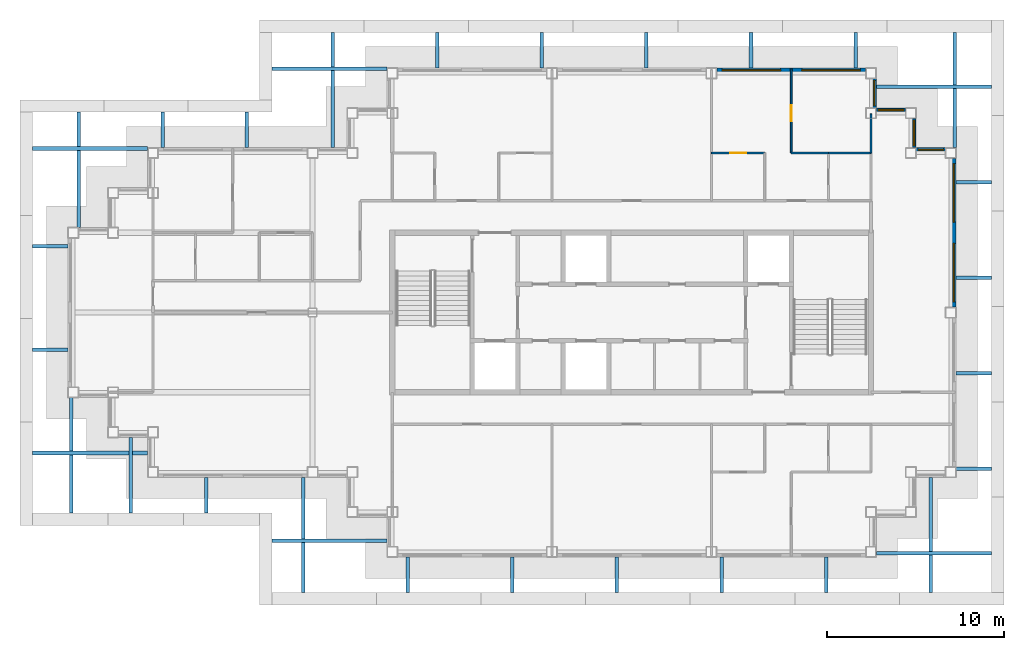
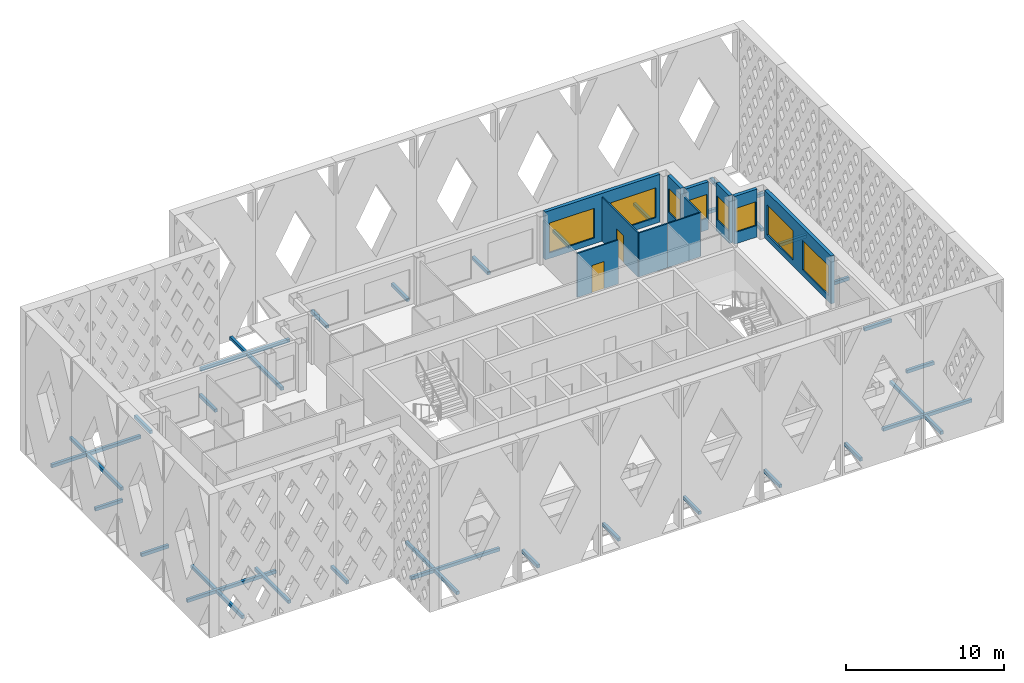
# One storey, part 6 of 13: 32 discrete accessories, 11 walls, 8 windows, 2 doors, 10 openings.
"""IFC4 building model written with IfcOpenShell, lengths in metres."""

from ifc_helpers import new_model, si_unit, direction, frame, frame_2d, origin, origin_2d, place, context, subcontext, project, spatial, rectangle, extrude, material, layer, layer_set, type_object, element, fill, save


model = new_model("IFC4")

# Units and contexts
model_context = context("Model", 3, precision=1e-05, world=origin(), true_north=direction((0.0, 1.0)))
body_context = subcontext(model_context, "Body", "Model", "MODEL_VIEW")
ifc_project = project(units=[si_unit("LENGTHUNIT", "METRE"), si_unit("AREAUNIT", "SQUARE_METRE"), si_unit("VOLUMEUNIT", "CUBIC_METRE"), si_unit("PLANEANGLEUNIT", "RADIAN"), si_unit("MASSUNIT", "GRAM", prefix="KILO")], contexts=[model_context])

# Site, building, storey
site_placement = place(None, origin())
site = spatial("IfcSite", under=ifc_project, at=site_placement, CompositionType="ELEMENT")
building_placement = place(site_placement, origin())
building = spatial("IfcBuilding", under=site, at=building_placement, Name="Caravel Reach Hotel and Residences", CompositionType="ELEMENT")
storey_placement = place(building_placement, frame((0.0, 0.0, 267.5)))
storey = spatial("IfcBuildingStorey", under=building, at=storey_placement, Name="L68", CompositionType="ELEMENT", Elevation=267.5)

# Wall
ifc_material_1 = material(Name="Gypsum board on steel stud", Category="steel")
ifc_layer_1 = layer(ifc_material_1, 0.10009765625)
ifc_layer_set_1 = layer_set([ifc_layer_1], Name="Bathroom pod wall 100 mm")
wall_type_1 = type_object("IfcWallType", Name="Bathroom pod wall 100 mm", PredefinedType="PARTITIONING", material=ifc_layer_set_1)
wall_1_placement = place(storey_placement, frame((42.60009765625, 36.0, 0.0), z_axis=(0.0, 0.0, 1.0), x_axis=(1.0, 0.0, 0.0)))
element("IfcWall", 1, at=wall_1_placement, inside=storey, type_object=wall_type_1, Name="L68 wall w057", PredefinedType="PARTITIONING", context=body_context, shape_type="SweptSolid", body=[
    extrude(rectangle(XDim=2.39990234375, YDim=0.10009765625, at=frame_2d((1.199951171875, 0.0))), origin(), (0.0, 0.0, 1.0), 3.39990234375),
])

# Wall, openings, windows
ifc_material_2 = material(Name="Insulated rainscreen wall, aluminium cladding", Category="aluminium")
ifc_layer_2 = layer(ifc_material_2, 0.25)
ifc_layer_set_2 = layer_set([ifc_layer_2], Name="EW1 Tower rainscreen wall")
wall_type_2 = type_object("IfcWallType", Name="EW1 Tower rainscreen wall", PredefinedType="SOLIDWALL", material=ifc_layer_set_2)
wall_2_placement = place(storey_placement, frame((49.675048828125, 27.300048828125, 0.0), z_axis=(0.0, 0.0, 1.0), x_axis=(0.0, 1.0, 0.0)))
wall_2 = element("IfcWall", 2, at=wall_2_placement, inside=storey, type_object=wall_type_2, Name="External wall L68 E9.2", PredefinedType="SOLIDWALL", context=body_context, shape_type="SweptSolid", body=[
    extrude(rectangle(XDim=8.39990234375, YDim=0.25, at=frame_2d((4.199951171875, 0.0))), origin(), (0.0, 0.0, 1.0), 3.699951171875),
])
opening_1_placement = place(wall_2_placement, frame((0.300048828125, 0.0, 0.449951171875)))
opening_1 = element("IfcOpeningElement", 3, at=opening_1_placement, cuts=wall_2, Name="Opening WN15", PredefinedType="OPENING", context=body_context, shape_type="SweptSolid", body=[
    extrude(rectangle(XDim=3.300048828125, YDim=2.300048828125, at=frame_2d((1.64990234375, 1.14990234375))), frame((0.0, 0.135009765625, 0.0), z_axis=(0.0, -1.0, 0.0), x_axis=(1.0, 0.0, 0.0)), (0.0, 0.0, 1.0), 0.27001953125),
])
opening_2_placement = place(wall_2_placement, frame((4.800048828125, 0.0, 0.449951171875)))
opening_2 = element("IfcOpeningElement", 4, at=opening_2_placement, cuts=wall_2, Name="Opening WN15", PredefinedType="OPENING", context=body_context, shape_type="SweptSolid", body=[
    extrude(rectangle(XDim=3.300048828125, YDim=2.300048828125, at=frame_2d((1.64990234375, 1.14990234375))), frame((0.0, 0.135009765625, 0.0), z_axis=(0.0, -1.0, 0.0), x_axis=(1.0, 0.0, 0.0)), (0.0, 0.0, 1.0), 0.27001953125),
])
ifc_material_3 = material(Name="Dark low-e glazing in black aluminium frame", Category="aluminium")
window_type_1 = type_object("IfcWindowType", Name="Residence living window 3300 x 2300", PartitioningType="SINGLE_PANEL", PredefinedType="WINDOW", material=ifc_material_3)
window_1_placement = place(opening_1_placement, origin())
window_1 = element("IfcWindow", 5, at=window_1_placement, inside=storey, type_object=window_type_1, Name="Window L68 E9.2.1", OverallHeight=2.300048828125, OverallWidth=3.300048828125, PartitioningType="SINGLE_PANEL", PredefinedType="WINDOW", context=body_context, shape_type="SweptSolid", body=[
    extrude(rectangle(XDim=3.300048828125, YDim=2.300048828125, at=frame_2d((1.64990234375, 1.14990234375))), frame((0.0, 0.030029296875, 0.0), z_axis=(0.0, -1.0, 0.0), x_axis=(1.0, 0.0, 0.0)), (0.0, 0.0, 1.0), 0.06005859375),
])
fill(opening_1, window_1)
window_2_placement = place(opening_2_placement, origin())
window_2 = element("IfcWindow", 6, at=window_2_placement, inside=storey, type_object=window_type_1, Name="Window L68 E9.2.2", OverallHeight=2.300048828125, OverallWidth=3.300048828125, PartitioningType="SINGLE_PANEL", PredefinedType="WINDOW", context=body_context, shape_type="SweptSolid", body=[
    extrude(rectangle(XDim=3.300048828125, YDim=2.300048828125, at=frame_2d((1.64990234375, 1.14990234375))), frame((0.0, 0.030029296875, 0.0), z_axis=(0.0, -1.0, 0.0), x_axis=(1.0, 0.0, 0.0)), (0.0, 0.0, 1.0), 0.06005859375),
])
fill(opening_2, window_2)

# Wall, opening, window
wall_3_placement = place(storey_placement, frame((49.199951171875, 36.175048828125, 0.0), z_axis=(0.0, 0.0, 1.0), x_axis=(-1.0, 0.0, 0.0)))
wall_3 = element("IfcWall", 7, at=wall_3_placement, inside=storey, type_object=wall_type_2, Name="External wall L68 N10.1", PredefinedType="SOLIDWALL", context=body_context, shape_type="SweptSolid", body=[
    extrude(rectangle(XDim=1.64990234375, YDim=0.25, at=frame_2d((0.824951171875, 0.0))), origin(), (0.0, 0.0, 1.0), 3.699951171875),
])
opening_3_placement = place(wall_3_placement, frame((0.10009765625, 0.0, 0.89990234375)))
opening_3 = element("IfcOpeningElement", 8, at=opening_3_placement, cuts=wall_3, Name="Opening WN25", PredefinedType="OPENING", context=body_context, shape_type="SweptSolid", body=[
    extrude(rectangle(XDim=1.449951171875, YDim=1.85009765625, at=frame_2d((0.72509765625, 0.925048828125))), frame((0.0, 0.135009765625, 0.0), z_axis=(0.0, -1.0, 0.0), x_axis=(1.0, 0.0, 0.0)), (0.0, 0.0, 1.0), 0.27001953125),
])
ifc_material_4 = material(Name="Dark low-e glazing in black aluminium frame", Category="aluminium")
window_type_2 = type_object("IfcWindowType", Name="Residence bedroom window 1450 x 1850", PartitioningType="SINGLE_PANEL", PredefinedType="WINDOW", material=ifc_material_4)
window_3_placement = place(opening_3_placement, origin())
window_3 = element("IfcWindow", 9, at=window_3_placement, inside=storey, type_object=window_type_2, Name="Window L68 N10.1.1", OverallHeight=1.85009765625, OverallWidth=1.449951171875, PartitioningType="SINGLE_PANEL", PredefinedType="WINDOW", context=body_context, shape_type="SweptSolid", body=[
    extrude(rectangle(XDim=1.449951171875, YDim=1.85009765625, at=frame_2d((0.72509765625, 0.925048828125))), frame((0.0, 0.030029296875, 0.0), z_axis=(0.0, -1.0, 0.0), x_axis=(1.0, 0.0, 0.0)), (0.0, 0.0, 1.0), 0.06005859375),
])
fill(opening_3, window_3)

wall_4_placement = place(storey_placement, frame((47.425048828125, 36.300048828125, 0.0), z_axis=(0.0, 0.0, 1.0), x_axis=(0.0, 1.0, 0.0)))
wall_4 = element("IfcWall", 10, at=wall_4_placement, inside=storey, type_object=wall_type_2, Name="External wall L68 E11.1", PredefinedType="SOLIDWALL", context=body_context, shape_type="SweptSolid", body=[
    extrude(rectangle(XDim=1.64990234375, YDim=0.25, at=frame_2d((0.824951171875, 0.0))), origin(), (0.0, 0.0, 1.0), 3.699951171875),
])
opening_4_placement = place(wall_4_placement, frame((0.10009765625, 0.0, 0.89990234375)))
opening_4 = element("IfcOpeningElement", 11, at=opening_4_placement, cuts=wall_4, Name="Opening WN25", PredefinedType="OPENING", context=body_context, shape_type="SweptSolid", body=[
    extrude(rectangle(XDim=1.449951171875, YDim=1.85009765625, at=frame_2d((0.72509765625, 0.925048828125))), frame((0.0, 0.135009765625, 0.0), z_axis=(0.0, -1.0, 0.0), x_axis=(1.0, 0.0, 0.0)), (0.0, 0.0, 1.0), 0.27001953125),
])
window_4_placement = place(opening_4_placement, origin())
window_4 = element("IfcWindow", 12, at=window_4_placement, inside=storey, type_object=window_type_2, Name="Window L68 E11.1.1", OverallHeight=1.85009765625, OverallWidth=1.449951171875, PartitioningType="SINGLE_PANEL", PredefinedType="WINDOW", context=body_context, shape_type="SweptSolid", body=[
    extrude(rectangle(XDim=1.449951171875, YDim=1.85009765625, at=frame_2d((0.72509765625, 0.925048828125))), frame((0.0, 0.030029296875, 0.0), z_axis=(0.0, -1.0, 0.0), x_axis=(1.0, 0.0, 0.0)), (0.0, 0.0, 1.0), 0.06005859375),
])
fill(opening_4, window_4)

wall_5_placement = place(storey_placement, frame((46.949951171875, 38.425048828125, 0.0), z_axis=(0.0, 0.0, 1.0), x_axis=(-1.0, 0.0, 0.0)))
wall_5 = element("IfcWall", 13, at=wall_5_placement, inside=storey, type_object=wall_type_2, Name="External wall L68 N12.1", PredefinedType="SOLIDWALL", context=body_context, shape_type="SweptSolid", body=[
    extrude(rectangle(XDim=1.64990234375, YDim=0.25, at=frame_2d((0.824951171875, 0.0))), origin(), (0.0, 0.0, 1.0), 3.699951171875),
])
opening_5_placement = place(wall_5_placement, frame((0.10009765625, 0.0, 0.89990234375)))
opening_5 = element("IfcOpeningElement", 14, at=opening_5_placement, cuts=wall_5, Name="Opening WN25", PredefinedType="OPENING", context=body_context, shape_type="SweptSolid", body=[
    extrude(rectangle(XDim=1.449951171875, YDim=1.85009765625, at=frame_2d((0.72509765625, 0.925048828125))), frame((0.0, 0.135009765625, 0.0), z_axis=(0.0, -1.0, 0.0), x_axis=(1.0, 0.0, 0.0)), (0.0, 0.0, 1.0), 0.27001953125),
])
window_5_placement = place(opening_5_placement, origin())
window_5 = element("IfcWindow", 15, at=window_5_placement, inside=storey, type_object=window_type_2, Name="Window L68 N12.1.1", OverallHeight=1.85009765625, OverallWidth=1.449951171875, PartitioningType="SINGLE_PANEL", PredefinedType="WINDOW", context=body_context, shape_type="SweptSolid", body=[
    extrude(rectangle(XDim=1.449951171875, YDim=1.85009765625, at=frame_2d((0.72509765625, 0.925048828125))), frame((0.0, 0.030029296875, 0.0), z_axis=(0.0, -1.0, 0.0), x_axis=(1.0, 0.0, 0.0)), (0.0, 0.0, 1.0), 0.06005859375),
])
fill(opening_5, window_5)

wall_6_placement = place(storey_placement, frame((45.175048828125, 38.550048828125, 0.0), z_axis=(0.0, 0.0, 1.0), x_axis=(0.0, 1.0, 0.0)))
wall_6 = element("IfcWall", 16, at=wall_6_placement, inside=storey, type_object=wall_type_2, Name="External wall L68 E13.1", PredefinedType="SOLIDWALL", context=body_context, shape_type="SweptSolid", body=[
    extrude(rectangle(XDim=1.64990234375, YDim=0.25, at=frame_2d((0.824951171875, 0.0))), origin(), (0.0, 0.0, 1.0), 3.699951171875),
])
opening_6_placement = place(wall_6_placement, frame((0.10009765625, 0.0, 0.89990234375)))
opening_6 = element("IfcOpeningElement", 17, at=opening_6_placement, cuts=wall_6, Name="Opening WN25", PredefinedType="OPENING", context=body_context, shape_type="SweptSolid", body=[
    extrude(rectangle(XDim=1.449951171875, YDim=1.85009765625, at=frame_2d((0.72509765625, 0.925048828125))), frame((0.0, 0.135009765625, 0.0), z_axis=(0.0, -1.0, 0.0), x_axis=(1.0, 0.0, 0.0)), (0.0, 0.0, 1.0), 0.27001953125),
])
window_6_placement = place(opening_6_placement, origin())
window_6 = element("IfcWindow", 18, at=window_6_placement, inside=storey, type_object=window_type_2, Name="Window L68 E13.1.1", OverallHeight=1.85009765625, OverallWidth=1.449951171875, PartitioningType="SINGLE_PANEL", PredefinedType="WINDOW", context=body_context, shape_type="SweptSolid", body=[
    extrude(rectangle(XDim=1.449951171875, YDim=1.85009765625, at=frame_2d((0.72509765625, 0.925048828125))), frame((0.0, 0.030029296875, 0.0), z_axis=(0.0, -1.0, 0.0), x_axis=(1.0, 0.0, 0.0)), (0.0, 0.0, 1.0), 0.06005859375),
])
fill(opening_6, window_6)

# Wall, openings, windows
wall_7_placement = place(storey_placement, frame((44.699951171875, 40.675048828125, 0.0), z_axis=(0.0, 0.0, 1.0), x_axis=(-1.0, 0.0, 0.0)))
wall_7 = element("IfcWall", 19, at=wall_7_placement, inside=storey, type_object=wall_type_2, Name="External wall L68 N14.1", PredefinedType="SOLIDWALL", context=body_context, shape_type="SweptSolid", body=[
    extrude(rectangle(XDim=8.39990234375, YDim=0.25, at=frame_2d((4.199951171875, 0.0))), origin(), (0.0, 0.0, 1.0), 3.699951171875),
])
opening_7_placement = place(wall_7_placement, frame((0.300048828125, 0.0, 0.449951171875)))
opening_7 = element("IfcOpeningElement", 20, at=opening_7_placement, cuts=wall_7, Name="Opening WN15", PredefinedType="OPENING", context=body_context, shape_type="SweptSolid", body=[
    extrude(rectangle(XDim=3.300048828125, YDim=2.300048828125, at=frame_2d((1.64990234375, 1.14990234375))), frame((0.0, 0.135009765625, 0.0), z_axis=(0.0, -1.0, 0.0), x_axis=(1.0, 0.0, 0.0)), (0.0, 0.0, 1.0), 0.27001953125),
])
opening_8_placement = place(wall_7_placement, frame((4.800048828125, 0.0, 0.449951171875)))
opening_8 = element("IfcOpeningElement", 21, at=opening_8_placement, cuts=wall_7, Name="Opening WN15", PredefinedType="OPENING", context=body_context, shape_type="SweptSolid", body=[
    extrude(rectangle(XDim=3.300048828125, YDim=2.300048828125, at=frame_2d((1.64990234375, 1.14990234375))), frame((0.0, 0.135009765625, 0.0), z_axis=(0.0, -1.0, 0.0), x_axis=(1.0, 0.0, 0.0)), (0.0, 0.0, 1.0), 0.27001953125),
])
window_7_placement = place(opening_7_placement, origin())
window_7 = element("IfcWindow", 22, at=window_7_placement, inside=storey, type_object=window_type_1, Name="Window L68 N14.1.1", OverallHeight=2.300048828125, OverallWidth=3.300048828125, PartitioningType="SINGLE_PANEL", PredefinedType="WINDOW", context=body_context, shape_type="SweptSolid", body=[
    extrude(rectangle(XDim=3.300048828125, YDim=2.300048828125, at=frame_2d((1.64990234375, 1.14990234375))), frame((0.0, 0.030029296875, 0.0), z_axis=(0.0, -1.0, 0.0), x_axis=(1.0, 0.0, 0.0)), (0.0, 0.0, 1.0), 0.06005859375),
])
fill(opening_7, window_7)
window_8_placement = place(opening_8_placement, origin())
window_8 = element("IfcWindow", 23, at=window_8_placement, inside=storey, type_object=window_type_1, Name="Window L68 N14.1.2", OverallHeight=2.300048828125, OverallWidth=3.300048828125, PartitioningType="SINGLE_PANEL", PredefinedType="WINDOW", context=body_context, shape_type="SweptSolid", body=[
    extrude(rectangle(XDim=3.300048828125, YDim=2.300048828125, at=frame_2d((1.64990234375, 1.14990234375))), frame((0.0, 0.030029296875, 0.0), z_axis=(0.0, -1.0, 0.0), x_axis=(1.0, 0.0, 0.0)), (0.0, 0.0, 1.0), 0.06005859375),
])
fill(opening_8, window_8)

# Wall
ifc_material_5 = material(Name="Gypsum board on steel stud", Category="steel")
ifc_layer_3 = layer(ifc_material_5, 0.10009765625)
ifc_layer_set_3 = layer_set([ifc_layer_3], Name="Partition 100 mm")
wall_type_3 = type_object("IfcWallType", Name="Partition 100 mm", PredefinedType="PARTITIONING", material=ifc_layer_set_3)
wall_8_placement = place(storey_placement, frame((40.5, 36.0, 0.0), z_axis=(0.0, 0.0, 1.0), x_axis=(1.0, 0.0, 0.0)))
element("IfcWall", 24, at=wall_8_placement, inside=storey, type_object=wall_type_3, Name="L68 wall w027", PredefinedType="PARTITIONING", context=body_context, shape_type="SweptSolid", body=[
    extrude(rectangle(XDim=2.10009765625, YDim=0.10009765625, at=frame_2d((1.050048828125, 0.0))), origin(), (0.0, 0.0, 1.0), 3.39990234375),
])

# Wall, opening, door
wall_9_placement = place(storey_placement, frame((36.0, 36.0, 0.0), z_axis=(0.0, 0.0, 1.0), x_axis=(1.0, 0.0, 0.0)))
wall_9 = element("IfcWall", 25, at=wall_9_placement, inside=storey, type_object=wall_type_3, Name="L68 wall w028", PredefinedType="PARTITIONING", context=body_context, shape_type="SweptSolid", body=[
    extrude(rectangle(XDim=3.0, YDim=0.10009765625, at=frame_2d((1.5, 0.0))), origin(), (0.0, 0.0, 1.0), 3.39990234375),
])
opening_9_placement = place(wall_9_placement, frame((1.050048828125, 0.0, 0.0)))
opening_9 = element("IfcOpeningElement", 26, at=opening_9_placement, cuts=wall_9, Name="Opening D68-022", PredefinedType="OPENING", context=body_context, shape_type="SweptSolid", body=[
    extrude(rectangle(XDim=0.89990234375, YDim=2.10009765625, at=frame_2d((0.449951171875, 1.050048828125))), frame((0.0, 0.06005859375, 0.0), z_axis=(0.0, -1.0, 0.0), x_axis=(1.0, 0.0, 0.0)), (0.0, 0.0, 1.0), 0.1201171875),
])
ifc_material_6 = material(Name="Timber and steel door leaf", Category="steel")
door_type = type_object("IfcDoorType", Name="Door 900 x 2100 timber", OperationType="SINGLE_SWING_LEFT", PredefinedType="DOOR", material=ifc_material_6)
door_1_placement = place(opening_9_placement, origin())
door_1 = element("IfcDoor", 27, at=door_1_placement, inside=storey, type_object=door_type, Name="door D68-022", OperationType="SINGLE_SWING_LEFT", OverallHeight=2.10009765625, OverallWidth=0.89990234375, PredefinedType="DOOR", context=body_context, shape_type="SweptSolid", body=[
    extrude(rectangle(XDim=0.89990234375, YDim=2.10009765625, at=frame_2d((0.449951171875, 1.050048828125))), frame((0.0, 0.02490234375, 0.0), z_axis=(0.0, -1.0, 0.0), x_axis=(1.0, 0.0, 0.0)), (0.0, 0.0, 1.0), 0.050048828125),
])
fill(opening_9, door_1)

wall_10_placement = place(storey_placement, frame((40.5, 36.0, 0.0), z_axis=(0.0, 0.0, 1.0), x_axis=(0.0, 1.0, 0.0)))
wall_10 = element("IfcWall", 28, at=wall_10_placement, inside=storey, type_object=wall_type_3, Name="L68 wall w045", PredefinedType="PARTITIONING", context=body_context, shape_type="SweptSolid", body=[
    extrude(rectangle(XDim=4.739990234375, YDim=0.10009765625, at=frame_2d((2.3701171875, 0.0))), origin(), (0.0, 0.0, 1.0), 3.39990234375),
])
opening_10_placement = place(wall_10_placement, frame((1.800048828125, 0.0, 0.0)))
opening_10 = element("IfcOpeningElement", 29, at=opening_10_placement, cuts=wall_10, Name="Opening D68-024", PredefinedType="OPENING", context=body_context, shape_type="SweptSolid", body=[
    extrude(rectangle(XDim=0.89990234375, YDim=2.10009765625, at=frame_2d((0.449951171875, 1.050048828125))), frame((0.0, 0.06005859375, 0.0), z_axis=(0.0, -1.0, 0.0), x_axis=(1.0, 0.0, 0.0)), (0.0, 0.0, 1.0), 0.1201171875),
])
door_2_placement = place(opening_10_placement, origin())
door_2 = element("IfcDoor", 30, at=door_2_placement, inside=storey, type_object=door_type, Name="door D68-024", OperationType="SINGLE_SWING_LEFT", OverallHeight=2.10009765625, OverallWidth=0.89990234375, PredefinedType="DOOR", context=body_context, shape_type="SweptSolid", body=[
    extrude(rectangle(XDim=0.89990234375, YDim=2.10009765625, at=frame_2d((0.449951171875, 1.050048828125))), frame((0.0, 0.02490234375, 0.0), z_axis=(0.0, -1.0, 0.0), x_axis=(1.0, 0.0, 0.0)), (0.0, 0.0, 1.0), 0.050048828125),
])
fill(opening_10, door_2)

# Wall
wall_11_placement = place(storey_placement, frame((45.0, 36.0, 0.0), z_axis=(0.0, 0.0, 1.0), x_axis=(0.0, 1.0, 0.0)))
element("IfcWall", 31, at=wall_11_placement, inside=storey, type_object=wall_type_3, Name="L68 wall w047", PredefinedType="PARTITIONING", context=body_context, shape_type="SweptSolid", body=[
    extrude(rectangle(XDim=2.199951171875, YDim=0.10009765625, at=frame_2d((1.10009765625, 0.0))), origin(), (0.0, 0.0, 1.0), 3.39990234375),
])

# Discrete accessories
ifc_material_7 = material(Name="Black powder-coated aluminium", Category="aluminium")
discrete_accessory_type = type_object("IfcDiscreteAccessoryType", Name="BR1 Screen bracket", PredefinedType="BRACKET", material=ifc_material_7)
discrete_accessory_1_placement = place(storey_placement, frame((-0.1201171875, 18.949951171875, 0.10009765625), z_axis=(0.0, 0.0, 1.0), x_axis=(0.0, -1.0, 0.0)))
element("IfcDiscreteAccessory", 32, at=discrete_accessory_1_placement, inside=storey, type_object=discrete_accessory_type, Name="Screen bracket L68 1.1.1", PredefinedType="BRACKET", context=body_context, shape_type="SweptSolid", body=[
    extrude(rectangle(XDim=6.5, YDim=0.199951171875, at=origin_2d()), origin(), (0.0, 0.0, 1.0), 0.25),
])
discrete_accessory_2_placement = place(storey_placement, frame((3.24658203125, 17.824951171875, 0.10009765625), z_axis=(0.0, 0.0, 1.0), x_axis=(0.0, -1.0, 0.0)))
element("IfcDiscreteAccessory", 33, at=discrete_accessory_2_placement, inside=storey, type_object=discrete_accessory_type, Name="Screen bracket L68 1.2.1", PredefinedType="BRACKET", context=body_context, shape_type="SweptSolid", body=[
    extrude(rectangle(XDim=4.25, YDim=0.199951171875, at=origin_2d()), origin(), (0.0, 0.0, 1.0), 0.25),
])
discrete_accessory_3_placement = place(storey_placement, frame((7.513427734375, 16.699951171875, 0.10009765625), z_axis=(0.0, 0.0, 1.0), x_axis=(0.0, -1.0, 0.0)))
element("IfcDiscreteAccessory", 34, at=discrete_accessory_3_placement, inside=storey, type_object=discrete_accessory_type, Name="Screen bracket L68 1.3.1", PredefinedType="BRACKET", context=body_context, shape_type="SweptSolid", body=[
    extrude(rectangle(XDim=2.0, YDim=0.199951171875, at=origin_2d()), origin(), (0.0, 0.0, 1.0), 0.25),
])
for number, where, z_axis, x_axis, name in (
    (35, (14.449951171875, 14.139892578125, 0.10009765625), (0.0, 0.0, 1.0), (-1.0, 0.0, 0.0), "Screen bracket L68 2.1.1"),
    (36, (12.969970703125, 14.449951171875, 0.10009765625), (0.0, 0.0, 1.0), (0.0, -1.0, 0.0), "Screen bracket L68 3.1.1"),
):
    element("IfcDiscreteAccessory", number, at=place(storey_placement, frame(where, z_axis=z_axis, x_axis=x_axis)), inside=storey, type_object=discrete_accessory_type, Name=name, PredefinedType="BRACKET", context=body_context, shape_type="SweptSolid", body=[
        extrude(rectangle(XDim=6.5, YDim=0.199951171875, at=origin_2d()), origin(), (0.0, 0.0, 1.0), 0.25),
    ])
for number, where, z_axis, x_axis, name in (
    (37, (18.8701171875, 12.199951171875, 0.10009765625), (0.0, 0.0, 1.0), (0.0, -1.0, 0.0), "Screen bracket L68 3.2.1"),
    (38, (24.77001953125, 12.199951171875, 0.10009765625), (0.0, 0.0, 1.0), (0.0, -1.0, 0.0), "Screen bracket L68 3.3.1"),
    (39, (30.669921875, 12.199951171875, 0.10009765625), (0.0, 0.0, 1.0), (0.0, -1.0, 0.0), "Screen bracket L68 3.4.1"),
    (40, (36.570068359375, 12.199951171875, 0.10009765625), (0.0, 0.0, 1.0), (0.0, -1.0, 0.0), "Screen bracket L68 3.5.1"),
    (41, (42.469970703125, 12.199951171875, 0.10009765625), (0.0, 0.0, 1.0), (0.0, -1.0, 0.0), "Screen bracket L68 3.6.1"),
):
    element("IfcDiscreteAccessory", number, at=place(storey_placement, frame(where, z_axis=z_axis, x_axis=x_axis)), inside=storey, type_object=discrete_accessory_type, Name=name, PredefinedType="BRACKET", context=body_context, shape_type="SweptSolid", body=[
        extrude(rectangle(XDim=2.0, YDim=0.199951171875, at=origin_2d()), origin(), (0.0, 0.0, 1.0), 0.25),
    ])
for number, where, z_axis, x_axis, name in (
    (42, (48.3701171875, 14.449951171875, 0.10009765625), (0.0, 0.0, 1.0), (0.0, -1.0, 0.0), "Screen bracket L68 3.7.1"),
    (43, (48.550048828125, 13.4150390625, 0.10009765625), (0.0, 0.0, 1.0), (1.0, 0.0, 0.0), "Screen bracket L68 4.1.1"),
):
    element("IfcDiscreteAccessory", number, at=place(storey_placement, frame(where, z_axis=z_axis, x_axis=x_axis)), inside=storey, type_object=discrete_accessory_type, Name=name, PredefinedType="BRACKET", context=body_context, shape_type="SweptSolid", body=[
        extrude(rectangle(XDim=6.5, YDim=0.199951171875, at=origin_2d()), origin(), (0.0, 0.0, 1.0), 0.25),
    ])
for number, where, z_axis, x_axis, name in (
    (44, (50.800048828125, 18.1982421875, 0.10009765625), (0.0, 0.0, 1.0), (1.0, 0.0, 0.0), "Screen bracket L68 4.2.1"),
    (45, (50.800048828125, 23.581787109375, 0.10009765625), (0.0, 0.0, 1.0), (1.0, 0.0, 0.0), "Screen bracket L68 4.3.1"),
    (46, (50.800048828125, 28.965087890625, 0.10009765625), (0.0, 0.0, 1.0), (1.0, 0.0, 0.0), "Screen bracket L68 4.4.1"),
    (47, (50.800048828125, 34.348388671875, 0.10009765625), (0.0, 0.0, 1.0), (1.0, 0.0, 0.0), "Screen bracket L68 4.5.1"),
):
    element("IfcDiscreteAccessory", number, at=place(storey_placement, frame(where, z_axis=z_axis, x_axis=x_axis)), inside=storey, type_object=discrete_accessory_type, Name=name, PredefinedType="BRACKET", context=body_context, shape_type="SweptSolid", body=[
        extrude(rectangle(XDim=2.0, YDim=0.199951171875, at=origin_2d()), origin(), (0.0, 0.0, 1.0), 0.25),
    ])
for number, where, z_axis, x_axis, name in (
    (48, (48.550048828125, 39.731689453125, 0.10009765625), (0.0, 0.0, 1.0), (1.0, 0.0, 0.0), "Screen bracket L68 4.6.1"),
    (49, (49.72998046875, 39.550048828125, 0.10009765625), (0.0, 0.0, 1.0), (0.0, 1.0, 0.0), "Screen bracket L68 5.1.1"),
):
    element("IfcDiscreteAccessory", number, at=place(storey_placement, frame(where, z_axis=z_axis, x_axis=x_axis)), inside=storey, type_object=discrete_accessory_type, Name=name, PredefinedType="BRACKET", context=body_context, shape_type="SweptSolid", body=[
        extrude(rectangle(XDim=6.5, YDim=0.199951171875, at=origin_2d()), origin(), (0.0, 0.0, 1.0), 0.25),
    ])
for number, where, z_axis, x_axis, name in (
    (50, (44.1298828125, 41.800048828125, 0.10009765625), (0.0, 0.0, 1.0), (0.0, 1.0, 0.0), "Screen bracket L68 5.2.1"),
    (51, (38.22998046875, 41.800048828125, 0.10009765625), (0.0, 0.0, 1.0), (0.0, 1.0, 0.0), "Screen bracket L68 5.3.1"),
    (52, (32.330078125, 41.800048828125, 0.10009765625), (0.0, 0.0, 1.0), (0.0, 1.0, 0.0), "Screen bracket L68 5.4.1"),
    (53, (26.429931640625, 41.800048828125, 0.10009765625), (0.0, 0.0, 1.0), (0.0, 1.0, 0.0), "Screen bracket L68 5.5.1"),
    (54, (20.530029296875, 41.800048828125, 0.10009765625), (0.0, 0.0, 1.0), (0.0, 1.0, 0.0), "Screen bracket L68 5.6.1"),
):
    element("IfcDiscreteAccessory", number, at=place(storey_placement, frame(where, z_axis=z_axis, x_axis=x_axis)), inside=storey, type_object=discrete_accessory_type, Name=name, PredefinedType="BRACKET", context=body_context, shape_type="SweptSolid", body=[
        extrude(rectangle(XDim=2.0, YDim=0.199951171875, at=origin_2d()), origin(), (0.0, 0.0, 1.0), 0.25),
    ])
for number, where, z_axis, x_axis, name in (
    (55, (14.6298828125, 39.550048828125, 0.10009765625), (0.0, 0.0, 1.0), (0.0, 1.0, 0.0), "Screen bracket L68 5.7.1"),
    (56, (14.449951171875, 40.760009765625, 0.10009765625), (0.0, 0.0, 1.0), (-1.0, 0.0, 0.0), "Screen bracket L68 6.1.1"),
):
    element("IfcDiscreteAccessory", number, at=place(storey_placement, frame(where, z_axis=z_axis, x_axis=x_axis)), inside=storey, type_object=discrete_accessory_type, Name=name, PredefinedType="BRACKET", context=body_context, shape_type="SweptSolid", body=[
        extrude(rectangle(XDim=6.5, YDim=0.199951171875, at=origin_2d()), origin(), (0.0, 0.0, 1.0), 0.25),
    ])
for number, where, z_axis, x_axis, name in (
    (57, (9.780029296875, 37.300048828125, 0.10009765625), (0.0, 0.0, 1.0), (0.0, 1.0, 0.0), "Screen bracket L68 7.1.1"),
    (58, (5.046630859375, 37.300048828125, 0.10009765625), (0.0, 0.0, 1.0), (0.0, 1.0, 0.0), "Screen bracket L68 7.2.1"),
):
    element("IfcDiscreteAccessory", number, at=place(storey_placement, frame(where, z_axis=z_axis, x_axis=x_axis)), inside=storey, type_object=discrete_accessory_type, Name=name, PredefinedType="BRACKET", context=body_context, shape_type="SweptSolid", body=[
        extrude(rectangle(XDim=2.0, YDim=0.199951171875, at=origin_2d()), origin(), (0.0, 0.0, 1.0), 0.25),
    ])
for number, where, z_axis, x_axis, name in (
    (59, (0.313232421875, 35.050048828125, 0.10009765625), (0.0, 0.0, 1.0), (0.0, 1.0, 0.0), "Screen bracket L68 7.3.1"),
    (60, (0.949951171875, 36.25244140625, 0.10009765625), (0.0, 0.0, 1.0), (-1.0, 0.0, 0.0), "Screen bracket L68 8.1.1"),
):
    element("IfcDiscreteAccessory", number, at=place(storey_placement, frame(where, z_axis=z_axis, x_axis=x_axis)), inside=storey, type_object=discrete_accessory_type, Name=name, PredefinedType="BRACKET", context=body_context, shape_type="SweptSolid", body=[
        extrude(rectangle(XDim=6.5, YDim=0.199951171875, at=origin_2d()), origin(), (0.0, 0.0, 1.0), 0.25),
    ])
for number, where, z_axis, x_axis, name in (
    (61, (-1.300048828125, 30.7275390625, 0.10009765625), (0.0, 0.0, 1.0), (-1.0, 0.0, 0.0), "Screen bracket L68 8.2.1"),
    (62, (-1.300048828125, 24.902587890625, 0.10009765625), (0.0, 0.0, 1.0), (-1.0, 0.0, 0.0), "Screen bracket L68 8.3.1"),
):
    element("IfcDiscreteAccessory", number, at=place(storey_placement, frame(where, z_axis=z_axis, x_axis=x_axis)), inside=storey, type_object=discrete_accessory_type, Name=name, PredefinedType="BRACKET", context=body_context, shape_type="SweptSolid", body=[
        extrude(rectangle(XDim=2.0, YDim=0.199951171875, at=origin_2d()), origin(), (0.0, 0.0, 1.0), 0.25),
    ])
discrete_accessory_4_placement = place(storey_placement, frame((0.949951171875, 19.077392578125, 0.10009765625), z_axis=(0.0, 0.0, 1.0), x_axis=(-1.0, 0.0, 0.0)))
element("IfcDiscreteAccessory", 63, at=discrete_accessory_4_placement, inside=storey, type_object=discrete_accessory_type, Name="Screen bracket L68 8.4.1", PredefinedType="BRACKET", context=body_context, shape_type="SweptSolid", body=[
    extrude(rectangle(XDim=6.5, YDim=0.199951171875, at=origin_2d()), origin(), (0.0, 0.0, 1.0), 0.25),
])

save(model, "model.ifc")
